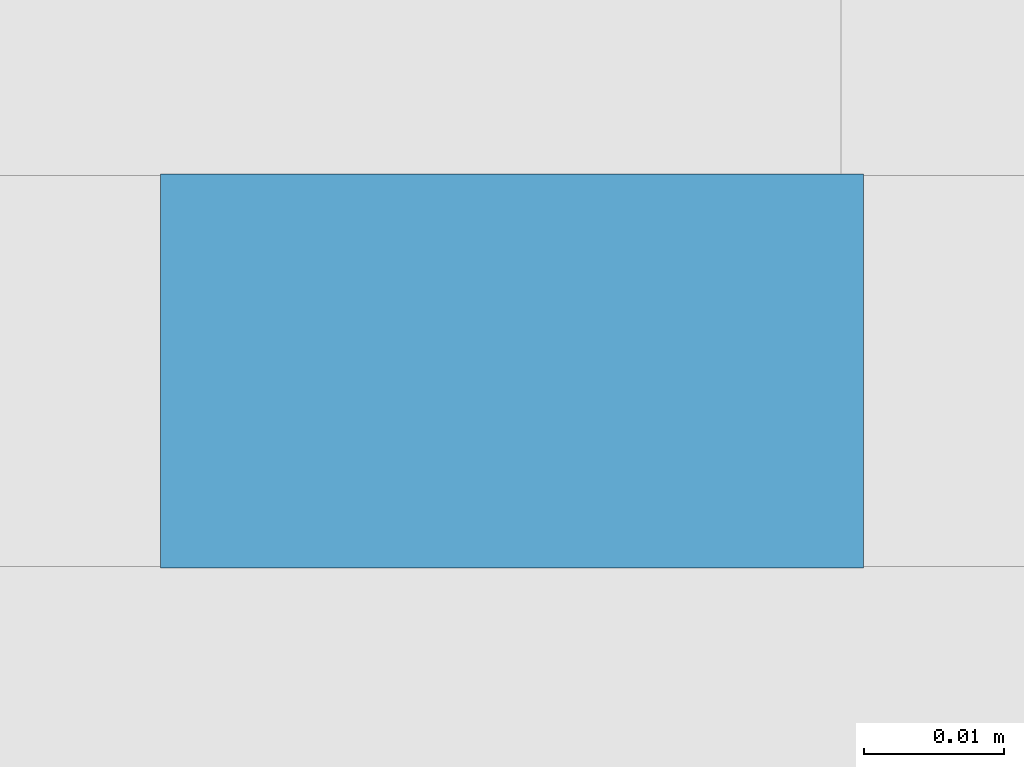
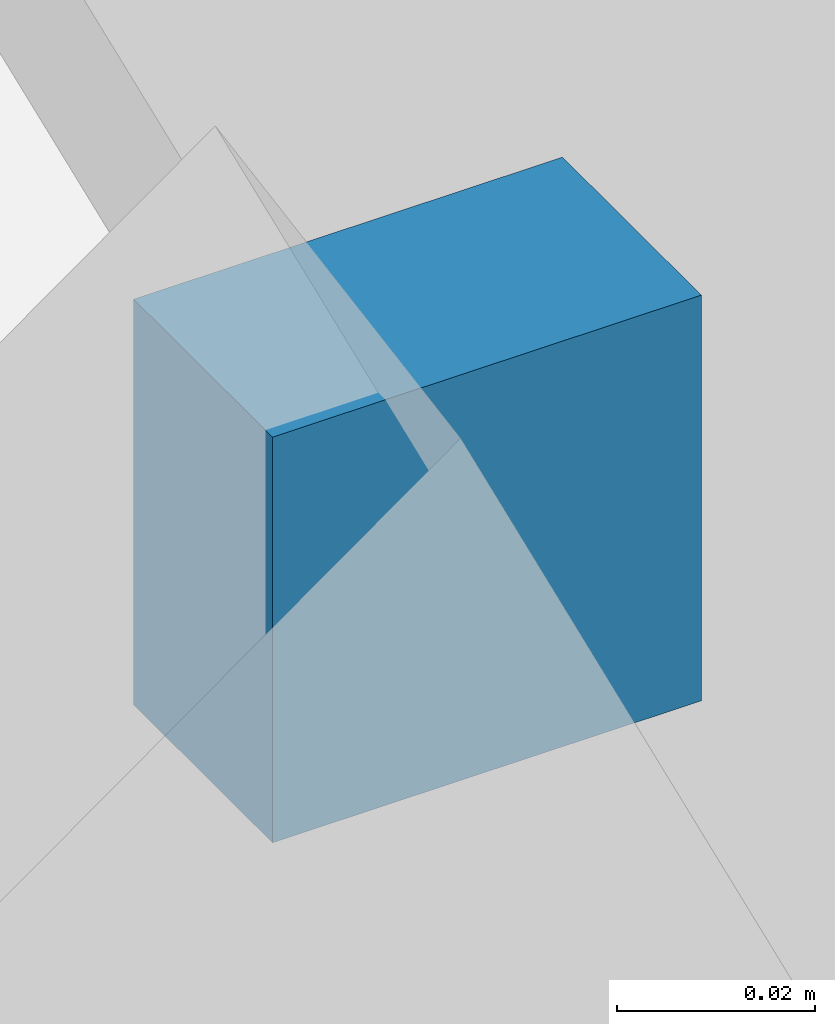
# One storey, part 16 of 19: 1 discrete accessory, 1 element without a shape of its own.
"""IFC4 building model written with IfcOpenShell, lengths in metres."""

from ifc_helpers import new_model, si_unit, direction, frame, origin, origin_2d, place, context, subcontext, project, spatial, rectangle, extrude, material, type_object, element, aggregate, save


model = new_model("IFC4")

# Units and contexts
model_context = context("Model", 3, precision=1e-05, world=origin(), true_north=direction((0.0, 1.0)))
body_context = subcontext(model_context, "Body", "Model", "MODEL_VIEW")
ifc_project = project(units=[si_unit("LENGTHUNIT", "METRE"), si_unit("AREAUNIT", "SQUARE_METRE"), si_unit("VOLUMEUNIT", "CUBIC_METRE"), si_unit("PLANEANGLEUNIT", "RADIAN"), si_unit("MASSUNIT", "GRAM", prefix="KILO")], contexts=[model_context])

# Site, building, storey
site_placement = place(None, origin())
site = spatial("IfcSite", under=ifc_project, at=site_placement, CompositionType="ELEMENT")
building_placement = place(site_placement, origin())
building = spatial("IfcBuilding", under=site, at=building_placement, Name="Tessera Arch", CompositionType="ELEMENT")
storey_placement = place(building_placement, frame((0.0, 0.0, 170.0)))
storey = spatial("IfcBuildingStorey", under=building, at=storey_placement, Name="L40", CompositionType="ELEMENT", Elevation=170.0)

# Curtain wall, discrete accessory
ifc_material = material(Name="CW3 curtain wall")
curtain_wall_type = type_object("IfcCurtainWallType", Name="CW3 curtain wall", PredefinedType="NOTDEFINED", material=ifc_material)
curtain_wall_placement = place(storey_placement, origin())
curtain_wall = element("IfcCurtainWall", 1, at=curtain_wall_placement, inside=storey, type_object=curtain_wall_type, Name="CW3 curtain wall S27.0/4 L40", PredefinedType="NOTDEFINED")
discrete_accessory_placement = place(storey_placement, frame((41.085205078125, 26.9560546875, 1.19189453125), z_axis=(0.0, 0.0, 1.0), x_axis=(1.0, 0.0, 0.0)))
discrete_accessory = element("IfcDiscreteAccessory", 2, at=discrete_accessory_placement, Name="Glazing bracket", PredefinedType="BRACKET", context=body_context, shape_type="SweptSolid", body=[
    extrude(rectangle(XDim=0.050048828125, YDim=0.028076171875, at=origin_2d()), origin(), (0.0, 0.0, 1.0), 0.050048828125),
])
aggregate(curtain_wall, [discrete_accessory])

save(model, "model.ifc")
